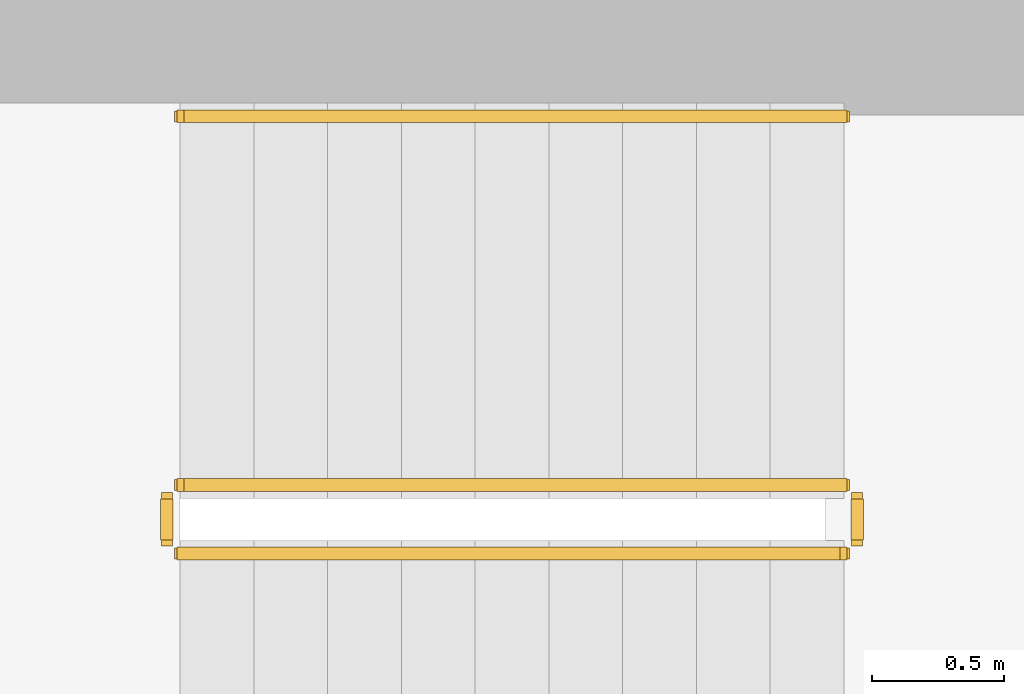
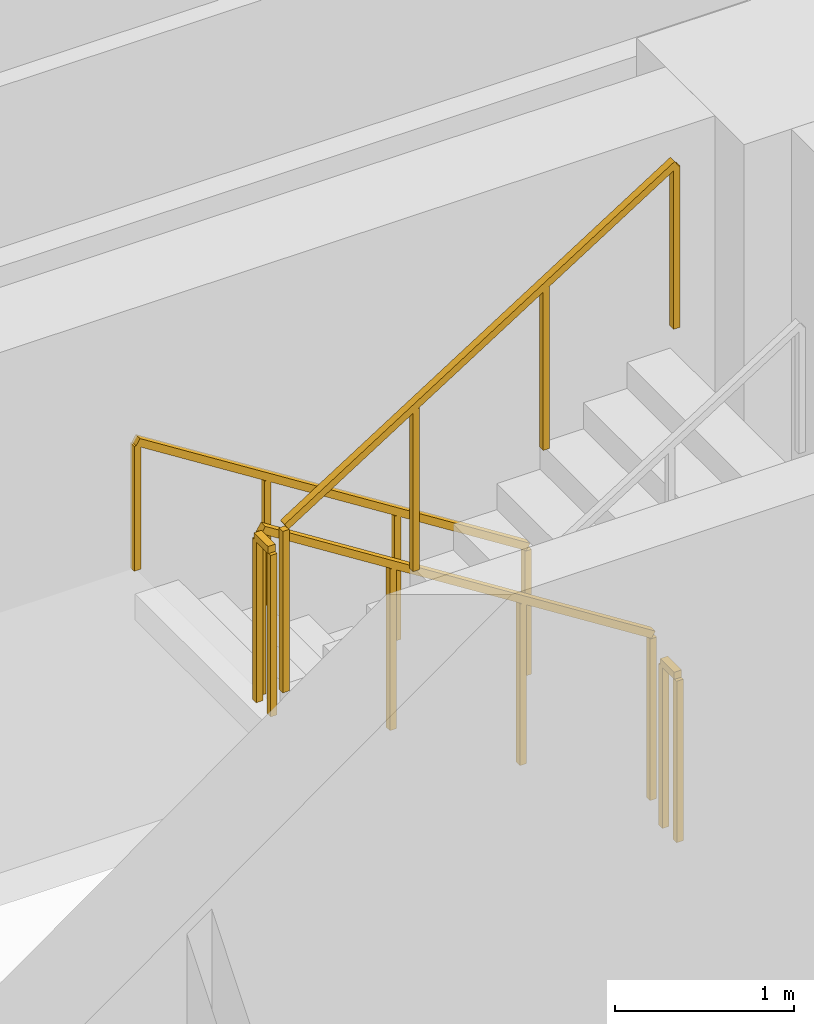
# One storey, part 10 of 11: 5 railings.
"""IFC4 building model written with IfcOpenShell, lengths in metres."""

from ifc_helpers import new_model, si_unit, direction, frame, origin, origin_2d, place, context, subcontext, project, spatial, rectangle, extrude, material, type_object, element, save


model = new_model("IFC4")

# Units and contexts
model_context = context("Model", 3, precision=1e-05, world=origin(), true_north=direction((0.0, 1.0)))
body_context = subcontext(model_context, "Body", "Model", "MODEL_VIEW")
ifc_project = project(units=[si_unit("LENGTHUNIT", "METRE"), si_unit("AREAUNIT", "SQUARE_METRE"), si_unit("VOLUMEUNIT", "CUBIC_METRE"), si_unit("PLANEANGLEUNIT", "RADIAN"), si_unit("MASSUNIT", "GRAM", prefix="KILO")], contexts=[model_context])

# Site, building, storey
site_placement = place(None, origin())
site = spatial("IfcSite", under=ifc_project, at=site_placement, CompositionType="ELEMENT")
building_placement = place(site_placement, origin())
building = spatial("IfcBuilding", under=site, at=building_placement, Name="Zarnavel Station Tower", CompositionType="ELEMENT")
storey_placement = place(building_placement, frame((0.0, 0.0, 151.89990234375)))
storey = spatial("IfcBuildingStorey", under=building, at=storey_placement, Name="L41", CompositionType="ELEMENT", Elevation=151.89990234375)

# Railings
ifc_material_1 = material(Name="Painted Steel S355J2 Balustrade", Category="steel")
railing_type_1 = type_object("IfcRailingType", Name="GR_INT_1150", PredefinedType="GUARDRAIL", material=ifc_material_1)
railing_1_placement = place(storey_placement, frame((19.47998046875, 35.3701171875, 0.177490234375)))
element("IfcRailing", 1, at=railing_1_placement, inside=storey, type_object=railing_type_1, Name="L41 ST1 stair guard 1", PredefinedType="GUARDRAIL", context=body_context, shape_type="SweptSolid", body=[
    extrude(rectangle(XDim=0.048095703125, YDim=0.048095703125, at=origin_2d()), frame((-0.001708984375, 0.0, 1.126953125), z_axis=(-0.84456994832, 0.0, 0.535445237532), x_axis=(0.0, -1.0, 0.0)), (0.0, 0.0, 1.0), 2.979736328125),
    extrude(rectangle(XDim=0.0419921875, YDim=0.0419921875, at=origin_2d()), origin(), (0.0, 0.0, 1.0), 1.101806640625),
    extrude(rectangle(XDim=0.0419921875, YDim=0.0419921875, at=origin_2d()), frame((-0.840087890625, 0.0, 0.532470703125)), (0.0, 0.0, 1.0), 1.101806640625),
    extrude(rectangle(XDim=0.0419921875, YDim=0.0419921875, at=origin_2d()), frame((-1.679931640625, 0.0, 1.065185546875)), (0.0, 0.0, 1.0), 1.101806640625),
    extrude(rectangle(XDim=0.0419921875, YDim=0.0419921875, at=origin_2d()), frame((-2.52001953125, 0.0, 1.59765625)), (0.0, 0.0, 1.0), 1.101806640625),
])
railing_2_placement = place(storey_placement, frame((16.909912109375, 35.320068359375, 1.775146484375)))
element("IfcRailing", 2, at=railing_2_placement, inside=storey, type_object=railing_type_1, Name="L41 ST1 stair guard 2", PredefinedType="GUARDRAIL", context=body_context, shape_type="SweptSolid", body=[
    extrude(rectangle(XDim=0.048095703125, YDim=0.048095703125, at=origin_2d()), frame((0.0, -0.001953125, 1.1259765625), z_axis=(0.0, -1.0, 0.0), x_axis=(1.0, 0.0, 0.0)), (0.0, 0.0, 1.0), 0.15625),
    extrude(rectangle(XDim=0.0419921875, YDim=0.0419921875, at=origin_2d()), origin(), (0.0, 0.0, 1.0), 1.101806640625),
    extrude(rectangle(XDim=0.0419921875, YDim=0.0419921875, at=origin_2d()), frame((0.0, -0.16015625, 0.0)), (0.0, 0.0, 1.0), 1.101806640625),
])
railing_3_placement = place(storey_placement, frame((16.9599609375, 35.110107421875, 1.95263671875)))
element("IfcRailing", 3, at=railing_3_placement, inside=storey, type_object=railing_type_1, Name="L41 ST1 stair guard 3", PredefinedType="GUARDRAIL", context=body_context, shape_type="SweptSolid", body=[
    extrude(rectangle(XDim=0.048095703125, YDim=0.048095703125, at=origin_2d()), frame((0.001708984375, 0.0, 1.126953125), z_axis=(0.84460694969, 0.0, 0.535386869969), x_axis=(0.0, 1.0, 0.0)), (0.0, 0.0, 1.0), 2.979736328125),
    extrude(rectangle(XDim=0.0419921875, YDim=0.0419921875, at=origin_2d()), origin(), (0.0, 0.0, 1.0), 1.101806640625),
    extrude(rectangle(XDim=0.0419921875, YDim=0.0419921875, at=origin_2d()), frame((0.840087890625, 0.0, 0.532470703125)), (0.0, 0.0, 1.0), 1.101806640625),
    extrude(rectangle(XDim=0.0419921875, YDim=0.0419921875, at=origin_2d()), frame((1.679931640625, 0.0, 1.06494140625)), (0.0, 0.0, 1.0), 1.101806640625),
    extrude(rectangle(XDim=0.0419921875, YDim=0.0419921875, at=origin_2d()), frame((2.52001953125, 0.0, 1.597412109375)), (0.0, 0.0, 1.0), 1.101806640625),
])
railing_4_placement = place(storey_placement, frame((19.530029296875, 35.320068359375, 0.0)))
element("IfcRailing", 4, at=railing_4_placement, inside=storey, type_object=railing_type_1, Name="L41 ST1 stair guard 4", PredefinedType="GUARDRAIL", context=body_context, shape_type="SweptSolid", body=[
    extrude(rectangle(XDim=0.048095703125, YDim=0.048095703125, at=origin_2d()), frame((0.0, -0.001953125, 1.1259765625), z_axis=(0.0, -1.0, 0.0), x_axis=(1.0, 0.0, 0.0)), (0.0, 0.0, 1.0), 0.15625),
    extrude(rectangle(XDim=0.0419921875, YDim=0.0419921875, at=origin_2d()), origin(), (0.0, 0.0, 1.0), 1.101806640625),
    extrude(rectangle(XDim=0.0419921875, YDim=0.0419921875, at=origin_2d()), frame((0.0, -0.16015625, 0.0)), (0.0, 0.0, 1.0), 1.101806640625),
])
ifc_material_2 = material(Name="Brushed Stainless Steel S355J2 Handrail", Category="steel")
railing_type_2 = type_object("IfcRailingType", Name="HR_STAIR_900", PredefinedType="HANDRAIL", material=ifc_material_2)
railing_5_placement = place(storey_placement, frame((19.47998046875, 36.77001953125, 0.177490234375)))
element("IfcRailing", 5, at=railing_5_placement, inside=storey, type_object=railing_type_2, Name="L41 ST1 stair handrail 1", PredefinedType="HANDRAIL", context=body_context, shape_type="SweptSolid", body=[
    extrude(rectangle(XDim=0.048095703125, YDim=0.048095703125, at=origin_2d()), frame((-0.001708984375, 0.0, 0.876953125), z_axis=(-0.84456994832, 0.0, 0.535445237532), x_axis=(0.0, -1.0, 0.0)), (0.0, 0.0, 1.0), 2.979736328125),
    extrude(rectangle(XDim=0.0419921875, YDim=0.0419921875, at=origin_2d()), origin(), (0.0, 0.0, 1.0), 0.851806640625),
    extrude(rectangle(XDim=0.0419921875, YDim=0.0419921875, at=origin_2d()), frame((-0.840087890625, 0.0, 0.532470703125)), (0.0, 0.0, 1.0), 0.851806640625),
    extrude(rectangle(XDim=0.0419921875, YDim=0.0419921875, at=origin_2d()), frame((-1.679931640625, 0.0, 1.065185546875)), (0.0, 0.0, 1.0), 0.851806640625),
    extrude(rectangle(XDim=0.0419921875, YDim=0.0419921875, at=origin_2d()), frame((-2.52001953125, 0.0, 1.59765625)), (0.0, 0.0, 1.0), 0.851806640625),
])

save(model, "model.ifc")
